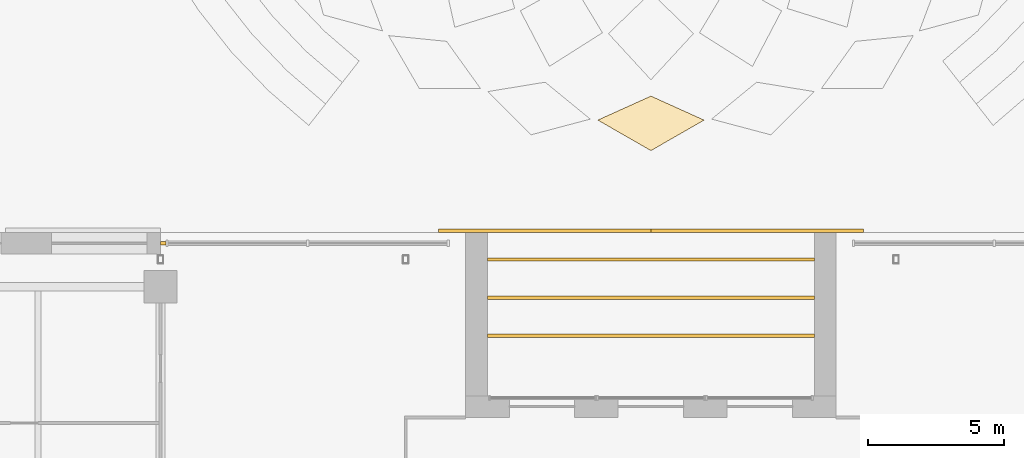
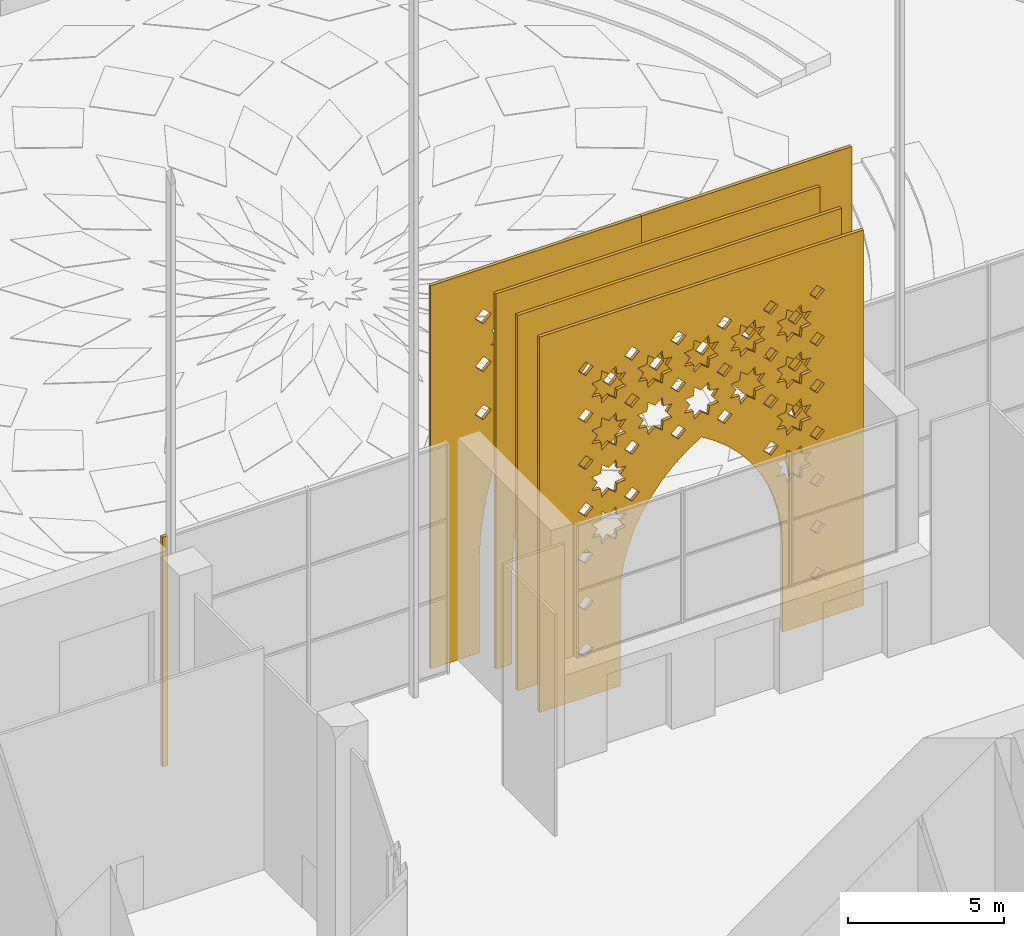
# One storey, part 17 of 23: 7 coverings.
"""IFC4 building model written with IfcOpenShell, lengths in metres."""

from ifc_helpers import new_model, si_unit, direction, frame, origin, origin_2d, place, context, subcontext, project, spatial, polyline, rectangle, outline, extrude, material, layer, layer_set, type_object, element, save


model = new_model("IFC4")

# Units and contexts
model_context = context("Model", 3, precision=1e-05, world=origin(), true_north=direction((0.0, 1.0)))
body_context = subcontext(model_context, "Body", "Model", "MODEL_VIEW")
ifc_project = project(units=[si_unit("LENGTHUNIT", "METRE"), si_unit("AREAUNIT", "SQUARE_METRE"), si_unit("VOLUMEUNIT", "CUBIC_METRE"), si_unit("PLANEANGLEUNIT", "RADIAN"), si_unit("MASSUNIT", "GRAM", prefix="KILO")], contexts=[model_context])

# Site, building, storey
site_placement = place(None, origin())
site = spatial("IfcSite", under=ifc_project, at=site_placement, CompositionType="ELEMENT")
building_placement = place(site_placement, origin())
building = spatial("IfcBuilding", under=site, at=building_placement, Name="Zellij Exchange Tower", CompositionType="ELEMENT")
storey_placement = place(building_placement, origin())
storey = spatial("IfcBuildingStorey", under=building, at=storey_placement, Name="L00", CompositionType="ELEMENT", Elevation=0.0)

# Coverings
ifc_material_1 = material(Name="Limestone cladding", Category="masonry")
ifc_layer_1 = layer(ifc_material_1, 0.1201171875)
ifc_layer_set_1 = layer_set([ifc_layer_1], Name="Limestone cladding")
covering_type_1 = type_object("IfcCoveringType", Name="ENV-CV18 Glazing closer 120", PredefinedType="CLADDING", material=ifc_layer_set_1)
covering_1_placement = place(storey_placement, frame((-17.89990234375, 19.60009765625, 0.0), z_axis=(0.0, 0.0, 1.0), x_axis=(-1.0, 0.0, 0.0)))
element("IfcCovering", 1, at=covering_1_placement, inside=storey, type_object=covering_type_1, Name="Glazing closer", PredefinedType="CLADDING", context=body_context, shape_type="SweptSolid", body=[
    extrude(rectangle(XDim=0.199951171875, YDim=0.1201171875, at=origin_2d()), origin(), (0.0, 0.0, 1.0), 9.0),
])
ifc_material_2 = material(Name="Limestone paving", Category="masonry")
ifc_layer_2 = layer(ifc_material_2, 0.030029296875)
ifc_layer_set_2 = layer_set([ifc_layer_2], Name="Limestone paving")
covering_type_2 = type_object("IfcCoveringType", Name="ENV-PV4 Girih inlay 30", PredefinedType="FLOORING", material=ifc_layer_set_2)
covering_2_placement = place(storey_placement, origin())
element("IfcCovering", 2, at=covering_2_placement, inside=storey, type_object=covering_type_2, Name="Plaza inlay", PredefinedType="FLOORING", context=body_context, shape_type="SweptSolid", body=[
    extrude(outline(polyline([(0.0, 25.0), (1.949951171875, 24.119384765625), (0.0, 23.0), (-1.949951171875, 24.119384765625), (0.0, 25.0)])), origin(), (0.0, 0.0, 1.0), 0.030029296875),
])
ifc_material_3 = material(Name="Limestone screen", Category="masonry")
ifc_layer_3 = layer(ifc_material_3, 0.1201171875)
ifc_layer_set_3 = layer_set([ifc_layer_3], Name="Limestone screen")
covering_type_3 = type_object("IfcCoveringType", Name="ENV-SC1 Pierced stone screen 120", PredefinedType="USERDEFINED", material=ifc_layer_set_3)
covering_3_placement = place(storey_placement, frame((0.0, 20.06005859375, 0.0), z_axis=(0.0, 0.0, 1.0), x_axis=(1.0, 0.0, 0.0)))
element("IfcCovering", 3, at=covering_3_placement, inside=storey, type_object=covering_type_3, Name="Pierced stone screen", ObjectType="SCREEN", PredefinedType="USERDEFINED", context=body_context, shape_type="SweptSolid", body=[
    extrude(outline(polyline([(6.0, 0.0), (7.800048828125, 0.0), (7.800048828125, 15.0), (0.0, 15.0), (0.0, 13.892333984375), (1.053466796875, 13.208251953125), (2.029541015625, 12.417724609375), (2.917724609375, 11.529541015625), (3.708251953125, 10.553466796875), (4.392333984375, 9.5), (4.96240234375, 8.380859375), (5.41259765625, 7.208251953125), (5.73779296875, 5.994873046875), (5.934326171875, 4.75439453125), (6.0, 3.5), (6.0, 0.0)]), holes=[polyline([(5.56787109375, 12.474609375), (5.203857421875, 12.516357421875), (5.162109375, 12.88037109375), (4.875, 12.652587890625), (4.587890625, 12.88037109375), (4.546142578125, 12.516357421875), (4.18212890625, 12.474609375), (4.409912109375, 12.1875), (4.18212890625, 11.900390625), (4.546142578125, 11.858642578125), (4.587890625, 11.49462890625), (4.875, 11.722412109375), (5.162109375, 11.49462890625), (5.203857421875, 11.858642578125), (5.56787109375, 11.900390625), (5.340087890625, 12.1875), (5.56787109375, 12.474609375)]), polyline([(4.199951171875, 11.25), (3.89990234375, 11.550048828125), (3.60009765625, 11.25), (3.89990234375, 10.949951171875), (4.199951171875, 11.25)]), polyline([(4.199951171875, 13.125), (3.89990234375, 13.425048828125), (3.60009765625, 13.125), (3.89990234375, 12.824951171875), (4.199951171875, 13.125)]), polyline([(6.14990234375, 9.375), (5.85009765625, 9.675048828125), (5.550048828125, 9.375), (5.85009765625, 9.074951171875), (6.14990234375, 9.375)]), polyline([(6.14990234375, 11.25), (5.85009765625, 11.550048828125), (5.550048828125, 11.25), (5.85009765625, 10.949951171875), (6.14990234375, 11.25)]), polyline([(6.14990234375, 13.125), (5.85009765625, 13.425048828125), (5.550048828125, 13.125), (5.85009765625, 12.824951171875), (6.14990234375, 13.125)])]), frame((0.0, 0.06005859375, 0.0), z_axis=(0.0, -1.0, 0.0), x_axis=(1.0, 0.0, 0.0)), (0.0, 0.0, 1.0), 0.1201171875),
])
covering_4_placement = place(storey_placement, frame((-7.800048828125, 20.06005859375, 0.0), z_axis=(0.0, 0.0, 1.0), x_axis=(1.0, 0.0, 0.0)))
element("IfcCovering", 4, at=covering_4_placement, inside=storey, type_object=covering_type_3, Name="Pierced stone screen", ObjectType="SCREEN", PredefinedType="USERDEFINED", context=body_context, shape_type="SweptSolid", body=[
    extrude(outline(polyline([(1.800048828125, 3.5), (1.86572265625, 4.75439453125), (2.062255859375, 5.994873046875), (2.38720703125, 7.208251953125), (2.83740234375, 8.380859375), (3.40771484375, 9.5), (4.091796875, 10.553466796875), (4.88232421875, 11.529541015625), (5.7705078125, 12.417724609375), (6.74658203125, 13.208251953125), (7.800048828125, 13.892333984375), (7.800048828125, 15.0), (0.0, 15.0), (0.0, 0.0), (1.800048828125, 0.0), (1.800048828125, 3.5)]), holes=[polyline([(3.617919921875, 12.474609375), (3.25390625, 12.516357421875), (3.2119140625, 12.88037109375), (2.925048828125, 12.652587890625), (2.637939453125, 12.88037109375), (2.59619140625, 12.516357421875), (2.232177734375, 12.474609375), (2.4599609375, 12.1875), (2.232177734375, 11.900390625), (2.59619140625, 11.858642578125), (2.637939453125, 11.49462890625), (2.925048828125, 11.722412109375), (3.2119140625, 11.49462890625), (3.25390625, 11.858642578125), (3.617919921875, 11.900390625), (3.389892578125, 12.1875), (3.617919921875, 12.474609375)]), polyline([(2.25, 9.375), (1.949951171875, 9.675048828125), (1.64990234375, 9.375), (1.949951171875, 9.074951171875), (2.25, 9.375)]), polyline([(2.25, 11.25), (1.949951171875, 11.550048828125), (1.64990234375, 11.25), (1.949951171875, 10.949951171875), (2.25, 11.25)]), polyline([(2.25, 13.125), (1.949951171875, 13.425048828125), (1.64990234375, 13.125), (1.949951171875, 12.824951171875), (2.25, 13.125)]), polyline([(4.199951171875, 11.25), (3.89990234375, 11.550048828125), (3.60009765625, 11.25), (3.89990234375, 10.949951171875), (4.199951171875, 11.25)]), polyline([(4.199951171875, 13.125), (3.89990234375, 13.425048828125), (3.60009765625, 13.125), (3.89990234375, 12.824951171875), (4.199951171875, 13.125)])]), frame((0.0, 0.06005859375, 0.0), z_axis=(0.0, -1.0, 0.0), x_axis=(1.0, 0.0, 0.0)), (0.0, 0.0, 1.0), 0.1201171875),
])
covering_5_placement = place(storey_placement, frame((-6.0, 19.0, 0.0), z_axis=(0.0, 0.0, 1.0), x_axis=(1.0, 0.0, 0.0)))
element("IfcCovering", 5, at=covering_5_placement, inside=storey, type_object=covering_type_3, Name="Pierced stone screen", ObjectType="SCREEN", PredefinedType="USERDEFINED", context=body_context, shape_type="SweptSolid", body=[
    extrude(outline(polyline([(0.0, 0.0), (0.60009765625, 0.0), (0.60009765625, 3.5), (0.6591796875, 4.62890625), (0.8359375, 5.745361328125), (1.128662109375, 6.83740234375), (1.53369140625, 7.892822265625), (2.046875, 8.89990234375), (2.66259765625, 9.84814453125), (3.3740234375, 10.7265625), (4.17333984375, 11.52587890625), (5.052001953125, 12.2373046875), (6.0, 12.85302734375), (6.947998046875, 12.2373046875), (7.82666015625, 11.52587890625), (8.6259765625, 10.7265625), (9.33740234375, 9.84814453125), (9.953125, 8.89990234375), (10.46630859375, 7.892822265625), (10.871337890625, 6.83740234375), (11.1640625, 5.745361328125), (11.3408203125, 4.62890625), (11.39990234375, 3.5), (11.39990234375, 0.0), (12.0, 0.0), (12.0, 14.699951171875), (0.0, 14.699951171875), (0.0, 0.0)]), holes=[polyline([(3.204833984375, 12.206298828125), (2.8720703125, 12.244384765625), (2.833740234375, 12.577392578125), (2.5712890625, 12.368896484375), (2.30908203125, 12.577392578125), (2.270751953125, 12.244384765625), (1.93798828125, 12.206298828125), (2.146240234375, 11.943603515625), (1.93798828125, 11.681396484375), (2.270751953125, 11.64306640625), (2.30908203125, 11.310302734375), (2.5712890625, 11.5185546875), (2.833740234375, 11.310302734375), (2.8720703125, 11.64306640625), (3.204833984375, 11.681396484375), (2.99658203125, 11.943603515625), (3.204833984375, 12.206298828125)]), polyline([(10.06201171875, 12.206298828125), (9.729248046875, 12.244384765625), (9.69091796875, 12.577392578125), (9.4287109375, 12.368896484375), (9.166259765625, 12.577392578125), (9.1279296875, 12.244384765625), (8.795166015625, 12.206298828125), (9.00341796875, 11.943603515625), (8.795166015625, 11.681396484375), (9.1279296875, 11.64306640625), (9.166259765625, 11.310302734375), (9.4287109375, 11.5185546875), (9.69091796875, 11.310302734375), (9.729248046875, 11.64306640625), (10.06201171875, 11.681396484375), (9.853759765625, 11.943603515625), (10.06201171875, 12.206298828125)]), polyline([(1.988525390625, 11.02490234375), (1.71435546875, 11.29931640625), (1.43994140625, 11.02490234375), (1.71435546875, 10.750732421875), (1.988525390625, 11.02490234375)]), polyline([(1.988525390625, 12.862548828125), (1.71435546875, 13.13671875), (1.43994140625, 12.862548828125), (1.71435546875, 12.588134765625), (1.988525390625, 12.862548828125)]), polyline([(3.702880859375, 12.862548828125), (3.4287109375, 13.13671875), (3.154296875, 12.862548828125), (3.4287109375, 12.588134765625), (3.702880859375, 12.862548828125)]), polyline([(8.845703125, 12.862548828125), (8.5712890625, 13.13671875), (8.297119140625, 12.862548828125), (8.5712890625, 12.588134765625), (8.845703125, 12.862548828125)]), polyline([(10.56005859375, 11.02490234375), (10.28564453125, 11.29931640625), (10.011474609375, 11.02490234375), (10.28564453125, 10.750732421875), (10.56005859375, 11.02490234375)]), polyline([(10.56005859375, 12.862548828125), (10.28564453125, 13.13671875), (10.011474609375, 12.862548828125), (10.28564453125, 12.588134765625), (10.56005859375, 12.862548828125)])]), frame((0.0, 0.06005859375, 0.0), z_axis=(0.0, -1.0, 0.0), x_axis=(1.0, 0.0, 0.0)), (0.0, 0.0, 1.0), 0.1201171875),
])
covering_6_placement = place(storey_placement, frame((-6.0, 17.60009765625, 0.0), z_axis=(0.0, 0.0, 1.0), x_axis=(1.0, 0.0, 0.0)))
element("IfcCovering", 6, at=covering_6_placement, inside=storey, type_object=covering_type_3, Name="Pierced stone screen", ObjectType="SCREEN", PredefinedType="USERDEFINED", context=body_context, shape_type="SweptSolid", body=[
    extrude(outline(polyline([(0.0, 0.0), (1.800048828125, 0.0), (1.800048828125, 3.5), (1.845947265625, 4.3779296875), (1.983642578125, 5.24658203125), (2.211181640625, 6.095703125), (2.526123046875, 6.91650390625), (2.92529296875, 7.699951171875), (3.404296875, 8.4375), (3.95751953125, 9.12060546875), (4.579345703125, 9.742431640625), (5.2626953125, 10.295654296875), (6.0, 10.774658203125), (6.7373046875, 10.295654296875), (7.420654296875, 9.742431640625), (8.04248046875, 9.12060546875), (8.595703125, 8.4375), (9.07470703125, 7.699951171875), (9.473876953125, 6.91650390625), (9.788818359375, 6.095703125), (10.016357421875, 5.24658203125), (10.154052734375, 4.3779296875), (10.199951171875, 3.5), (10.199951171875, 0.0), (12.0, 0.0), (12.0, 14.699951171875), (0.0, 14.699951171875), (0.0, 0.0)]), holes=[polyline([(3.204833984375, 10.36865234375), (2.8720703125, 10.406982421875), (2.833740234375, 10.73974609375), (2.5712890625, 10.531494140625), (2.30908203125, 10.73974609375), (2.270751953125, 10.406982421875), (1.93798828125, 10.36865234375), (2.146240234375, 10.106201171875), (1.93798828125, 9.84375), (2.270751953125, 9.8056640625), (2.30908203125, 9.47265625), (2.5712890625, 9.68115234375), (2.833740234375, 9.47265625), (2.8720703125, 9.8056640625), (3.204833984375, 9.84375), (2.99658203125, 10.106201171875), (3.204833984375, 10.36865234375)]), polyline([(3.204833984375, 12.206298828125), (2.8720703125, 12.244384765625), (2.833740234375, 12.577392578125), (2.5712890625, 12.368896484375), (2.30908203125, 12.577392578125), (2.270751953125, 12.244384765625), (1.93798828125, 12.206298828125), (2.146240234375, 11.943603515625), (1.93798828125, 11.681396484375), (2.270751953125, 11.64306640625), (2.30908203125, 11.310302734375), (2.5712890625, 11.5185546875), (2.833740234375, 11.310302734375), (2.8720703125, 11.64306640625), (3.204833984375, 11.681396484375), (2.99658203125, 11.943603515625), (3.204833984375, 12.206298828125)]), polyline([(4.919189453125, 12.206298828125), (4.586181640625, 12.244384765625), (4.548095703125, 12.577392578125), (4.28564453125, 12.368896484375), (4.023193359375, 12.577392578125), (3.985107421875, 12.244384765625), (3.652099609375, 12.206298828125), (3.860595703125, 11.943603515625), (3.652099609375, 11.681396484375), (3.985107421875, 11.64306640625), (4.023193359375, 11.310302734375), (4.28564453125, 11.5185546875), (4.548095703125, 11.310302734375), (4.586181640625, 11.64306640625), (4.919189453125, 11.681396484375), (4.7109375, 11.943603515625), (4.919189453125, 12.206298828125)]), polyline([(6.633544921875, 12.206298828125), (6.300537109375, 12.244384765625), (6.262451171875, 12.577392578125), (6.0, 12.368896484375), (5.737548828125, 12.577392578125), (5.699462890625, 12.244384765625), (5.366455078125, 12.206298828125), (5.574951171875, 11.943603515625), (5.366455078125, 11.681396484375), (5.699462890625, 11.64306640625), (5.737548828125, 11.310302734375), (6.0, 11.5185546875), (6.262451171875, 11.310302734375), (6.300537109375, 11.64306640625), (6.633544921875, 11.681396484375), (6.425048828125, 11.943603515625), (6.633544921875, 12.206298828125)]), polyline([(8.347900390625, 12.206298828125), (8.014892578125, 12.244384765625), (7.976806640625, 12.577392578125), (7.71435546875, 12.368896484375), (7.451904296875, 12.577392578125), (7.413818359375, 12.244384765625), (7.080810546875, 12.206298828125), (7.2890625, 11.943603515625), (7.080810546875, 11.681396484375), (7.413818359375, 11.64306640625), (7.451904296875, 11.310302734375), (7.71435546875, 11.5185546875), (7.976806640625, 11.310302734375), (8.014892578125, 11.64306640625), (8.347900390625, 11.681396484375), (8.139404296875, 11.943603515625), (8.347900390625, 12.206298828125)]), polyline([(10.06201171875, 10.36865234375), (9.729248046875, 10.406982421875), (9.69091796875, 10.73974609375), (9.4287109375, 10.531494140625), (9.166259765625, 10.73974609375), (9.1279296875, 10.406982421875), (8.795166015625, 10.36865234375), (9.00341796875, 10.106201171875), (8.795166015625, 9.84375), (9.1279296875, 9.8056640625), (9.166259765625, 9.47265625), (9.4287109375, 9.68115234375), (9.69091796875, 9.47265625), (9.729248046875, 9.8056640625), (10.06201171875, 9.84375), (9.853759765625, 10.106201171875), (10.06201171875, 10.36865234375)]), polyline([(10.06201171875, 12.206298828125), (9.729248046875, 12.244384765625), (9.69091796875, 12.577392578125), (9.4287109375, 12.368896484375), (9.166259765625, 12.577392578125), (9.1279296875, 12.244384765625), (8.795166015625, 12.206298828125), (9.00341796875, 11.943603515625), (8.795166015625, 11.681396484375), (9.1279296875, 11.64306640625), (9.166259765625, 11.310302734375), (9.4287109375, 11.5185546875), (9.69091796875, 11.310302734375), (9.729248046875, 11.64306640625), (10.06201171875, 11.681396484375), (9.853759765625, 11.943603515625), (10.06201171875, 12.206298828125)]), polyline([(1.988525390625, 7.35009765625), (1.71435546875, 7.624267578125), (1.43994140625, 7.35009765625), (1.71435546875, 7.07568359375), (1.988525390625, 7.35009765625)]), polyline([(1.988525390625, 9.1875), (1.71435546875, 9.4619140625), (1.43994140625, 9.1875), (1.71435546875, 8.9130859375), (1.988525390625, 9.1875)]), polyline([(1.988525390625, 11.02490234375), (1.71435546875, 11.29931640625), (1.43994140625, 11.02490234375), (1.71435546875, 10.750732421875), (1.988525390625, 11.02490234375)]), polyline([(1.988525390625, 12.862548828125), (1.71435546875, 13.13671875), (1.43994140625, 12.862548828125), (1.71435546875, 12.588134765625), (1.988525390625, 12.862548828125)]), polyline([(3.702880859375, 11.02490234375), (3.4287109375, 11.29931640625), (3.154296875, 11.02490234375), (3.4287109375, 10.750732421875), (3.702880859375, 11.02490234375)]), polyline([(3.702880859375, 12.862548828125), (3.4287109375, 13.13671875), (3.154296875, 12.862548828125), (3.4287109375, 12.588134765625), (3.702880859375, 12.862548828125)]), polyline([(5.4169921875, 11.02490234375), (5.142822265625, 11.29931640625), (4.86865234375, 11.02490234375), (5.142822265625, 10.750732421875), (5.4169921875, 11.02490234375)]), polyline([(5.4169921875, 12.862548828125), (5.142822265625, 13.13671875), (4.86865234375, 12.862548828125), (5.142822265625, 12.588134765625), (5.4169921875, 12.862548828125)]), polyline([(7.13134765625, 11.02490234375), (6.857177734375, 11.29931640625), (6.5830078125, 11.02490234375), (6.857177734375, 10.750732421875), (7.13134765625, 11.02490234375)]), polyline([(7.13134765625, 12.862548828125), (6.857177734375, 13.13671875), (6.5830078125, 12.862548828125), (6.857177734375, 12.588134765625), (7.13134765625, 12.862548828125)]), polyline([(8.845703125, 11.02490234375), (8.5712890625, 11.29931640625), (8.297119140625, 11.02490234375), (8.5712890625, 10.750732421875), (8.845703125, 11.02490234375)]), polyline([(8.845703125, 12.862548828125), (8.5712890625, 13.13671875), (8.297119140625, 12.862548828125), (8.5712890625, 12.588134765625), (8.845703125, 12.862548828125)]), polyline([(10.56005859375, 7.35009765625), (10.28564453125, 7.624267578125), (10.011474609375, 7.35009765625), (10.28564453125, 7.07568359375), (10.56005859375, 7.35009765625)]), polyline([(10.56005859375, 9.1875), (10.28564453125, 9.4619140625), (10.011474609375, 9.1875), (10.28564453125, 8.9130859375), (10.56005859375, 9.1875)]), polyline([(10.56005859375, 11.02490234375), (10.28564453125, 11.29931640625), (10.011474609375, 11.02490234375), (10.28564453125, 10.750732421875), (10.56005859375, 11.02490234375)]), polyline([(10.56005859375, 12.862548828125), (10.28564453125, 13.13671875), (10.011474609375, 12.862548828125), (10.28564453125, 12.588134765625), (10.56005859375, 12.862548828125)])]), frame((0.0, 0.06005859375, 0.0), z_axis=(0.0, -1.0, 0.0), x_axis=(1.0, 0.0, 0.0)), (0.0, 0.0, 1.0), 0.1201171875),
])
covering_7_placement = place(storey_placement, frame((-6.0, 16.199951171875, 0.0), z_axis=(0.0, 0.0, 1.0), x_axis=(1.0, 0.0, 0.0)))
element("IfcCovering", 7, at=covering_7_placement, inside=storey, type_object=covering_type_3, Name="Pierced stone screen", ObjectType="SCREEN", PredefinedType="USERDEFINED", context=body_context, shape_type="SweptSolid", body=[
    extrude(outline(polyline([(0.0, 0.0), (3.0, 0.0), (3.0, 3.5), (3.032958984375, 4.127197265625), (3.131103515625, 4.74755859375), (3.293701171875, 5.35400390625), (3.518798828125, 5.9404296875), (3.8037109375, 6.5), (4.14599609375, 7.026611328125), (4.541015625, 7.514892578125), (4.985107421875, 7.958984375), (5.473388671875, 8.35400390625), (6.0, 8.6962890625), (6.526611328125, 8.35400390625), (7.014892578125, 7.958984375), (7.458984375, 7.514892578125), (7.85400390625, 7.026611328125), (8.1962890625, 6.5), (8.481201171875, 5.9404296875), (8.706298828125, 5.35400390625), (8.868896484375, 4.74755859375), (8.967041015625, 4.127197265625), (9.0, 3.5), (9.0, 0.0), (12.0, 0.0), (12.0, 14.699951171875), (0.0, 14.699951171875), (0.0, 0.0)]), holes=[polyline([(3.204833984375, 6.693603515625), (2.8720703125, 6.73193359375), (2.833740234375, 7.064697265625), (2.5712890625, 6.8564453125), (2.30908203125, 7.064697265625), (2.270751953125, 6.73193359375), (1.93798828125, 6.693603515625), (2.146240234375, 6.43115234375), (1.93798828125, 6.168701171875), (2.270751953125, 6.130615234375), (2.30908203125, 5.797607421875), (2.5712890625, 6.006103515625), (2.833740234375, 5.797607421875), (2.8720703125, 6.130615234375), (3.204833984375, 6.168701171875), (2.99658203125, 6.43115234375), (3.204833984375, 6.693603515625)]), polyline([(3.204833984375, 8.53125), (2.8720703125, 8.5693359375), (2.833740234375, 8.90234375), (2.5712890625, 8.69384765625), (2.30908203125, 8.90234375), (2.270751953125, 8.5693359375), (1.93798828125, 8.53125), (2.146240234375, 8.268798828125), (1.93798828125, 8.00634765625), (2.270751953125, 7.968017578125), (2.30908203125, 7.63525390625), (2.5712890625, 7.843505859375), (2.833740234375, 7.63525390625), (2.8720703125, 7.968017578125), (3.204833984375, 8.00634765625), (2.99658203125, 8.268798828125), (3.204833984375, 8.53125)]), polyline([(3.204833984375, 10.36865234375), (2.8720703125, 10.406982421875), (2.833740234375, 10.73974609375), (2.5712890625, 10.531494140625), (2.30908203125, 10.73974609375), (2.270751953125, 10.406982421875), (1.93798828125, 10.36865234375), (2.146240234375, 10.106201171875), (1.93798828125, 9.84375), (2.270751953125, 9.8056640625), (2.30908203125, 9.47265625), (2.5712890625, 9.68115234375), (2.833740234375, 9.47265625), (2.8720703125, 9.8056640625), (3.204833984375, 9.84375), (2.99658203125, 10.106201171875), (3.204833984375, 10.36865234375)]), polyline([(3.204833984375, 12.206298828125), (2.8720703125, 12.244384765625), (2.833740234375, 12.577392578125), (2.5712890625, 12.368896484375), (2.30908203125, 12.577392578125), (2.270751953125, 12.244384765625), (1.93798828125, 12.206298828125), (2.146240234375, 11.943603515625), (1.93798828125, 11.681396484375), (2.270751953125, 11.64306640625), (2.30908203125, 11.310302734375), (2.5712890625, 11.5185546875), (2.833740234375, 11.310302734375), (2.8720703125, 11.64306640625), (3.204833984375, 11.681396484375), (2.99658203125, 11.943603515625), (3.204833984375, 12.206298828125)]), polyline([(4.919189453125, 10.36865234375), (4.586181640625, 10.406982421875), (4.548095703125, 10.73974609375), (4.28564453125, 10.531494140625), (4.023193359375, 10.73974609375), (3.985107421875, 10.406982421875), (3.652099609375, 10.36865234375), (3.860595703125, 10.106201171875), (3.652099609375, 9.84375), (3.985107421875, 9.8056640625), (4.023193359375, 9.47265625), (4.28564453125, 9.68115234375), (4.548095703125, 9.47265625), (4.586181640625, 9.8056640625), (4.919189453125, 9.84375), (4.7109375, 10.106201171875), (4.919189453125, 10.36865234375)]), polyline([(4.919189453125, 12.206298828125), (4.586181640625, 12.244384765625), (4.548095703125, 12.577392578125), (4.28564453125, 12.368896484375), (4.023193359375, 12.577392578125), (3.985107421875, 12.244384765625), (3.652099609375, 12.206298828125), (3.860595703125, 11.943603515625), (3.652099609375, 11.681396484375), (3.985107421875, 11.64306640625), (4.023193359375, 11.310302734375), (4.28564453125, 11.5185546875), (4.548095703125, 11.310302734375), (4.586181640625, 11.64306640625), (4.919189453125, 11.681396484375), (4.7109375, 11.943603515625), (4.919189453125, 12.206298828125)]), polyline([(6.633544921875, 10.36865234375), (6.300537109375, 10.406982421875), (6.262451171875, 10.73974609375), (6.0, 10.531494140625), (5.737548828125, 10.73974609375), (5.699462890625, 10.406982421875), (5.366455078125, 10.36865234375), (5.574951171875, 10.106201171875), (5.366455078125, 9.84375), (5.699462890625, 9.8056640625), (5.737548828125, 9.47265625), (6.0, 9.68115234375), (6.262451171875, 9.47265625), (6.300537109375, 9.8056640625), (6.633544921875, 9.84375), (6.425048828125, 10.106201171875), (6.633544921875, 10.36865234375)]), polyline([(6.633544921875, 12.206298828125), (6.300537109375, 12.244384765625), (6.262451171875, 12.577392578125), (6.0, 12.368896484375), (5.737548828125, 12.577392578125), (5.699462890625, 12.244384765625), (5.366455078125, 12.206298828125), (5.574951171875, 11.943603515625), (5.366455078125, 11.681396484375), (5.699462890625, 11.64306640625), (5.737548828125, 11.310302734375), (6.0, 11.5185546875), (6.262451171875, 11.310302734375), (6.300537109375, 11.64306640625), (6.633544921875, 11.681396484375), (6.425048828125, 11.943603515625), (6.633544921875, 12.206298828125)]), polyline([(8.347900390625, 10.36865234375), (8.014892578125, 10.406982421875), (7.976806640625, 10.73974609375), (7.71435546875, 10.531494140625), (7.451904296875, 10.73974609375), (7.413818359375, 10.406982421875), (7.080810546875, 10.36865234375), (7.2890625, 10.106201171875), (7.080810546875, 9.84375), (7.413818359375, 9.8056640625), (7.451904296875, 9.47265625), (7.71435546875, 9.68115234375), (7.976806640625, 9.47265625), (8.014892578125, 9.8056640625), (8.347900390625, 9.84375), (8.139404296875, 10.106201171875), (8.347900390625, 10.36865234375)]), polyline([(8.347900390625, 12.206298828125), (8.014892578125, 12.244384765625), (7.976806640625, 12.577392578125), (7.71435546875, 12.368896484375), (7.451904296875, 12.577392578125), (7.413818359375, 12.244384765625), (7.080810546875, 12.206298828125), (7.2890625, 11.943603515625), (7.080810546875, 11.681396484375), (7.413818359375, 11.64306640625), (7.451904296875, 11.310302734375), (7.71435546875, 11.5185546875), (7.976806640625, 11.310302734375), (8.014892578125, 11.64306640625), (8.347900390625, 11.681396484375), (8.139404296875, 11.943603515625), (8.347900390625, 12.206298828125)]), polyline([(10.06201171875, 6.693603515625), (9.729248046875, 6.73193359375), (9.69091796875, 7.064697265625), (9.4287109375, 6.8564453125), (9.166259765625, 7.064697265625), (9.1279296875, 6.73193359375), (8.795166015625, 6.693603515625), (9.00341796875, 6.43115234375), (8.795166015625, 6.168701171875), (9.1279296875, 6.130615234375), (9.166259765625, 5.797607421875), (9.4287109375, 6.006103515625), (9.69091796875, 5.797607421875), (9.729248046875, 6.130615234375), (10.06201171875, 6.168701171875), (9.853759765625, 6.43115234375), (10.06201171875, 6.693603515625)]), polyline([(10.06201171875, 8.53125), (9.729248046875, 8.5693359375), (9.69091796875, 8.90234375), (9.4287109375, 8.69384765625), (9.166259765625, 8.90234375), (9.1279296875, 8.5693359375), (8.795166015625, 8.53125), (9.00341796875, 8.268798828125), (8.795166015625, 8.00634765625), (9.1279296875, 7.968017578125), (9.166259765625, 7.63525390625), (9.4287109375, 7.843505859375), (9.69091796875, 7.63525390625), (9.729248046875, 7.968017578125), (10.06201171875, 8.00634765625), (9.853759765625, 8.268798828125), (10.06201171875, 8.53125)]), polyline([(10.06201171875, 10.36865234375), (9.729248046875, 10.406982421875), (9.69091796875, 10.73974609375), (9.4287109375, 10.531494140625), (9.166259765625, 10.73974609375), (9.1279296875, 10.406982421875), (8.795166015625, 10.36865234375), (9.00341796875, 10.106201171875), (8.795166015625, 9.84375), (9.1279296875, 9.8056640625), (9.166259765625, 9.47265625), (9.4287109375, 9.68115234375), (9.69091796875, 9.47265625), (9.729248046875, 9.8056640625), (10.06201171875, 9.84375), (9.853759765625, 10.106201171875), (10.06201171875, 10.36865234375)]), polyline([(10.06201171875, 12.206298828125), (9.729248046875, 12.244384765625), (9.69091796875, 12.577392578125), (9.4287109375, 12.368896484375), (9.166259765625, 12.577392578125), (9.1279296875, 12.244384765625), (8.795166015625, 12.206298828125), (9.00341796875, 11.943603515625), (8.795166015625, 11.681396484375), (9.1279296875, 11.64306640625), (9.166259765625, 11.310302734375), (9.4287109375, 11.5185546875), (9.69091796875, 11.310302734375), (9.729248046875, 11.64306640625), (10.06201171875, 11.681396484375), (9.853759765625, 11.943603515625), (10.06201171875, 12.206298828125)]), polyline([(1.988525390625, 1.83740234375), (1.71435546875, 2.11181640625), (1.43994140625, 1.83740234375), (1.71435546875, 1.563232421875), (1.988525390625, 1.83740234375)]), polyline([(1.988525390625, 3.675048828125), (1.71435546875, 3.94921875), (1.43994140625, 3.675048828125), (1.71435546875, 3.400634765625), (1.988525390625, 3.675048828125)]), polyline([(1.988525390625, 5.512451171875), (1.71435546875, 5.786865234375), (1.43994140625, 5.512451171875), (1.71435546875, 5.23828125), (1.988525390625, 5.512451171875)]), polyline([(1.988525390625, 7.35009765625), (1.71435546875, 7.624267578125), (1.43994140625, 7.35009765625), (1.71435546875, 7.07568359375), (1.988525390625, 7.35009765625)]), polyline([(1.988525390625, 9.1875), (1.71435546875, 9.4619140625), (1.43994140625, 9.1875), (1.71435546875, 8.9130859375), (1.988525390625, 9.1875)]), polyline([(1.988525390625, 11.02490234375), (1.71435546875, 11.29931640625), (1.43994140625, 11.02490234375), (1.71435546875, 10.750732421875), (1.988525390625, 11.02490234375)]), polyline([(1.988525390625, 12.862548828125), (1.71435546875, 13.13671875), (1.43994140625, 12.862548828125), (1.71435546875, 12.588134765625), (1.988525390625, 12.862548828125)]), polyline([(3.702880859375, 7.35009765625), (3.4287109375, 7.624267578125), (3.154296875, 7.35009765625), (3.4287109375, 7.07568359375), (3.702880859375, 7.35009765625)]), polyline([(3.702880859375, 9.1875), (3.4287109375, 9.4619140625), (3.154296875, 9.1875), (3.4287109375, 8.9130859375), (3.702880859375, 9.1875)]), polyline([(3.702880859375, 11.02490234375), (3.4287109375, 11.29931640625), (3.154296875, 11.02490234375), (3.4287109375, 10.750732421875), (3.702880859375, 11.02490234375)]), polyline([(3.702880859375, 12.862548828125), (3.4287109375, 13.13671875), (3.154296875, 12.862548828125), (3.4287109375, 12.588134765625), (3.702880859375, 12.862548828125)]), polyline([(5.4169921875, 9.1875), (5.142822265625, 9.4619140625), (4.86865234375, 9.1875), (5.142822265625, 8.9130859375), (5.4169921875, 9.1875)]), polyline([(5.4169921875, 11.02490234375), (5.142822265625, 11.29931640625), (4.86865234375, 11.02490234375), (5.142822265625, 10.750732421875), (5.4169921875, 11.02490234375)]), polyline([(5.4169921875, 12.862548828125), (5.142822265625, 13.13671875), (4.86865234375, 12.862548828125), (5.142822265625, 12.588134765625), (5.4169921875, 12.862548828125)]), polyline([(7.13134765625, 9.1875), (6.857177734375, 9.4619140625), (6.5830078125, 9.1875), (6.857177734375, 8.9130859375), (7.13134765625, 9.1875)]), polyline([(7.13134765625, 11.02490234375), (6.857177734375, 11.29931640625), (6.5830078125, 11.02490234375), (6.857177734375, 10.750732421875), (7.13134765625, 11.02490234375)]), polyline([(7.13134765625, 12.862548828125), (6.857177734375, 13.13671875), (6.5830078125, 12.862548828125), (6.857177734375, 12.588134765625), (7.13134765625, 12.862548828125)]), polyline([(8.845703125, 7.35009765625), (8.5712890625, 7.624267578125), (8.297119140625, 7.35009765625), (8.5712890625, 7.07568359375), (8.845703125, 7.35009765625)]), polyline([(8.845703125, 9.1875), (8.5712890625, 9.4619140625), (8.297119140625, 9.1875), (8.5712890625, 8.9130859375), (8.845703125, 9.1875)]), polyline([(8.845703125, 11.02490234375), (8.5712890625, 11.29931640625), (8.297119140625, 11.02490234375), (8.5712890625, 10.750732421875), (8.845703125, 11.02490234375)]), polyline([(8.845703125, 12.862548828125), (8.5712890625, 13.13671875), (8.297119140625, 12.862548828125), (8.5712890625, 12.588134765625), (8.845703125, 12.862548828125)]), polyline([(10.56005859375, 1.83740234375), (10.28564453125, 2.11181640625), (10.011474609375, 1.83740234375), (10.28564453125, 1.563232421875), (10.56005859375, 1.83740234375)]), polyline([(10.56005859375, 3.675048828125), (10.28564453125, 3.94921875), (10.011474609375, 3.675048828125), (10.28564453125, 3.400634765625), (10.56005859375, 3.675048828125)]), polyline([(10.56005859375, 5.512451171875), (10.28564453125, 5.786865234375), (10.011474609375, 5.512451171875), (10.28564453125, 5.23828125), (10.56005859375, 5.512451171875)]), polyline([(10.56005859375, 7.35009765625), (10.28564453125, 7.624267578125), (10.011474609375, 7.35009765625), (10.28564453125, 7.07568359375), (10.56005859375, 7.35009765625)]), polyline([(10.56005859375, 9.1875), (10.28564453125, 9.4619140625), (10.011474609375, 9.1875), (10.28564453125, 8.9130859375), (10.56005859375, 9.1875)]), polyline([(10.56005859375, 11.02490234375), (10.28564453125, 11.29931640625), (10.011474609375, 11.02490234375), (10.28564453125, 10.750732421875), (10.56005859375, 11.02490234375)]), polyline([(10.56005859375, 12.862548828125), (10.28564453125, 13.13671875), (10.011474609375, 12.862548828125), (10.28564453125, 12.588134765625), (10.56005859375, 12.862548828125)])]), frame((0.0, 0.06005859375, 0.0), z_axis=(0.0, -1.0, 0.0), x_axis=(1.0, 0.0, 0.0)), (0.0, 0.0, 1.0), 0.1201171875),
])

save(model, "model.ifc")
